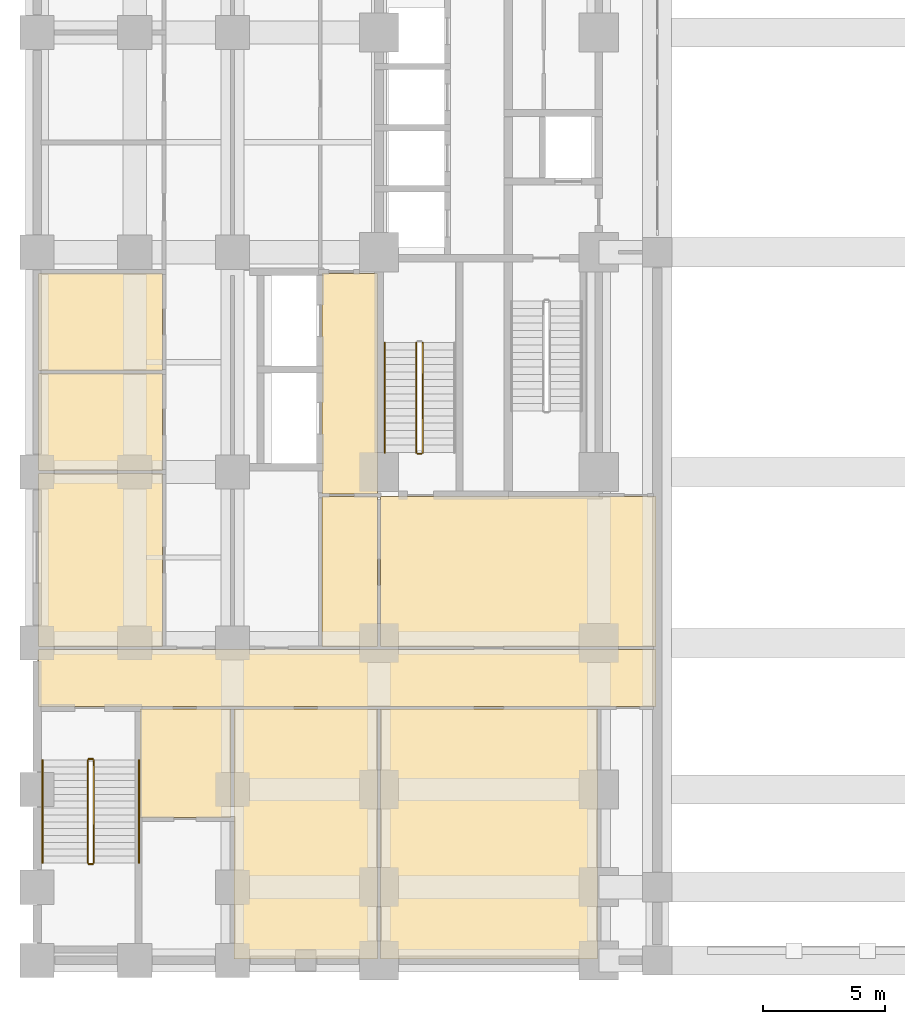
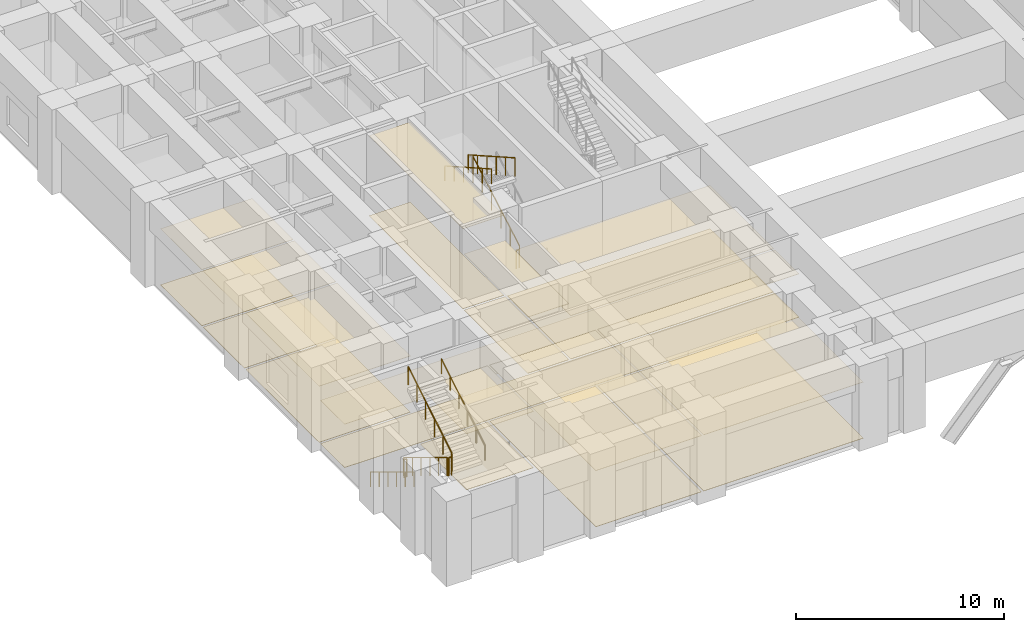
# One storey, part 19 of 24: 20 coverings, 10 railings.
"""IFC4 building model written with IfcOpenShell, lengths in metres."""

import ifcopenshell
import ifcopenshell.guid

model = None  # the IFC model being written
_history = None  # IfcOwnerHistory: only IFC2X3 demands one
_inside = {}  # id of a spatial element -> (the spatial element, [elements in it])
_under = {}  # id of a project, library or spatial element -> (it, [spatial elements below it])
_declared = {}  # id of a project -> (the project, [libraries it declares])
_typed = {}  # id of a type object -> (the type object, [elements of that type])
_made_of = {}  # id of a material, layer set ... -> (it, [elements and type objects made of it])


def new_model(schema):
    """Start an empty IFC model of exactly this schema.

    Asked for "IFC4X3", IfcOpenShell would pick the latest addendum, in which some entities
    have other attributes; the version numbers below select the first issue.
    IFC2X3 requires an IfcOwnerHistory on every rooted entity: one is made here for all.
    """
    global model, _history
    if schema == "IFC4X3":
        model = ifcopenshell.file(schema_version=(4, 3, 0, 0))
    else:
        model = ifcopenshell.file(schema=schema)
    _inside.clear()
    _under.clear()
    _declared.clear()
    _typed.clear()
    _made_of.clear()
    _history = None
    if model.schema == "IFC2X3":
        org = make("IfcOrganization", Name="unknown")
        user = make(
            "IfcPersonAndOrganization",
            ThePerson=make("IfcPerson", FamilyName="unknown"),
            TheOrganization=org,
        )
        app = make(
            "IfcApplication",
            ApplicationDeveloper=org,
            Version="unknown",
            ApplicationFullName="unknown",
            ApplicationIdentifier="unknown",
        )
        _history = make(
            "IfcOwnerHistory",
            OwningUser=user,
            OwningApplication=app,
            ChangeAction="ADDED",
            CreationDate=0,
        )
    return model


def make(cls, **values):
    """One entity of the class cls with the attributes given. An attribute that is None is left unset."""
    return model.create_entity(
        cls, **{name: value for name, value in values.items() if value is not None}
    )


def rooted(cls, **values):
    """An entity with a GlobalId (a new one), such as an element, a storey or a relation."""
    return make(cls, GlobalId=ifcopenshell.guid.new(), OwnerHistory=_history, **values)


def si_unit(unit_type, name, prefix=None):
    """IfcSIUnit, for example si_unit("LENGTHUNIT", "METRE", prefix="MILLI")."""
    return make("IfcSIUnit", UnitType=unit_type, Prefix=prefix, Name=name)


def assignment(units):
    """IfcUnitAssignment: the units of a project."""
    return None if units is None else make("IfcUnitAssignment", Units=units)


def point(xyz):
    """IfcCartesianPoint."""
    return None if xyz is None else make("IfcCartesianPoint", Coordinates=xyz)


def direction(xyz):
    """IfcDirection."""
    return None if xyz is None else make("IfcDirection", DirectionRatios=xyz)


def frame(location, z_axis=None, x_axis=None):
    """IfcAxis2Placement3D, a coordinate frame: its origin and axes. An axis left out is left unset."""
    return make(
        "IfcAxis2Placement3D",
        Location=point(location),
        Axis=direction(z_axis),
        RefDirection=direction(x_axis),
    )


def frame_2d(location, x_axis=None):
    """IfcAxis2Placement2D, a coordinate frame in the plane: its origin and x axis."""
    return make(
        "IfcAxis2Placement2D", Location=point(location), RefDirection=direction(x_axis)
    )


def origin():
    """The frame at (0, 0, 0) with its axes left unset."""
    return frame((0.0, 0.0, 0.0))


def origin_2d():
    """The frame at (0, 0) in the plane with its x axis left unset."""
    return frame_2d((0.0, 0.0))


def place(relative_to, where):
    """IfcLocalPlacement: puts the frame where relative to a parent placement (None: the world)."""
    return make(
        "IfcLocalPlacement", PlacementRelTo=relative_to, RelativePlacement=where
    )


def context(
    kind, dimensions, precision=None, world=None, true_north=None, identifier=None
):
    """IfcGeometricRepresentationContext, for example the 3D "Model" context."""
    return make(
        "IfcGeometricRepresentationContext",
        ContextIdentifier=identifier,
        ContextType=kind,
        CoordinateSpaceDimension=dimensions,
        Precision=precision,
        WorldCoordinateSystem=world,
        TrueNorth=true_north,
    )


def subcontext(parent, identifier, kind, view, scale=None):
    """IfcGeometricRepresentationSubContext, for example "Body" below "Model"."""
    return make(
        "IfcGeometricRepresentationSubContext",
        ContextIdentifier=identifier,
        ContextType=kind,
        ParentContext=parent,
        TargetScale=scale,
        TargetView=view,
    )


def project(units=None, contexts=None):
    """IfcProject with its units and contexts."""
    return rooted(
        "IfcProject",
        Name="project",
        RepresentationContexts=contexts,
        UnitsInContext=assignment(units),
    )


def spatial(cls, under=None, at=None, **own):
    """A site, building, storey or space (cls), placed at a placement, below another one or the project."""
    s = rooted(cls, ObjectPlacement=at, **own)
    if under is not None:
        _under.setdefault(under.id(), (under, []))[1].append(s)
    return s


def polyline(points):
    """IfcPolyline through the points."""
    return make("IfcPolyline", Points=[point(p) for p in points])


def profile(cls, at=None, kind="AREA", **sizes):
    """A parametric profile (cls). Its sizes go by their IFC names, for example OverallWidth=200.0."""
    return make(cls, ProfileType=kind, Position=at, **sizes)


def rectangle(**sizes):
    """IfcRectangleProfileDef."""
    return profile("IfcRectangleProfileDef", **sizes)


def outline(outer, holes=None, kind="AREA"):
    """IfcArbitraryClosedProfileDef: a profile drawn as a closed curve; with holes, ...WithVoids."""
    if holes is None:
        return make("IfcArbitraryClosedProfileDef", ProfileType=kind, OuterCurve=outer)
    return make(
        "IfcArbitraryProfileDefWithVoids",
        ProfileType=kind,
        OuterCurve=outer,
        InnerCurves=holes,
    )


def extrude(swept, where, along, depth):
    """IfcExtrudedAreaSolid: the profile swept, set in the frame where, extruded along a direction by depth."""
    return make(
        "IfcExtrudedAreaSolid",
        SweptArea=swept,
        Position=where,
        ExtrudedDirection=direction(along),
        Depth=depth,
    )


def shape(context_of_items, identifier, shape_type, items):
    """IfcShapeRepresentation: the items that make up one representation, for example the "Body"."""
    return make(
        "IfcShapeRepresentation",
        ContextOfItems=context_of_items,
        RepresentationIdentifier=identifier,
        RepresentationType=shape_type,
        Items=items,
    )


def material(Name=None, Category=None):
    """IfcMaterial."""
    return make("IfcMaterial", Name=Name, Category=Category)


def layer(
    of_material, thickness, ventilated=None, Name=None, Category=None, Priority=None
):
    """IfcMaterialLayer: one layer of a wall or slab, of a material (None: an air gap)."""
    return make(
        "IfcMaterialLayer",
        Material=of_material,
        LayerThickness=thickness,
        IsVentilated=ventilated,
        Name=Name,
        Category=Category,
        Priority=Priority,
    )


def layer_set(layers, Name=None):
    """IfcMaterialLayerSet."""
    return make("IfcMaterialLayerSet", MaterialLayers=layers, LayerSetName=Name)


def made_of(thing, what):
    """Note that an element or type object is made of a material, layer set ...; save() writes the relation."""
    if what is not None:
        _made_of.setdefault(what.id(), (what, []))[1].append(thing)
    return thing


def type_object(cls, material=None, **own):
    """A type object (cls), such as IfcWallType, which elements share."""
    return made_of(rooted(cls, **own), material)


def element(
    cls,
    number,
    at=None,
    inside=None,
    cuts=None,
    type_object=None,
    material=None,
    context=None,
    identifier="Body",
    shape_type=None,
    held_by="IfcProductDefinitionShape",
    body=None,
    shapes=None,
    **own,
):
    """One element of the class cls, such as IfcWall. Its Tag is "e" and its number.

    at: its placement. inside: the storey or other place that contains it. cuts: it is an
    opening in that element (IfcRelVoidsElement). A single representation is given by context,
    identifier, shape_type and body (its items); several are given by shapes. held_by: the class
    of the entity that holds the representations. save() writes the other relations.
    """
    e = rooted(cls, Tag="e%d" % number, ObjectPlacement=at, **own)
    if body is not None:
        shapes = [shape(context, identifier, shape_type, body)]
    if shapes is not None:
        e.Representation = make(held_by, Representations=shapes)
    if inside is not None:
        _inside.setdefault(inside.id(), (inside, []))[1].append(e)
    if cuts is not None:
        rooted(
            "IfcRelVoidsElement", RelatingBuildingElement=cuts, RelatedOpeningElement=e
        )
    if type_object is not None:
        _typed.setdefault(type_object.id(), (type_object, []))[1].append(e)
    return made_of(e, material)


def aggregate(whole, parts):
    """IfcRelAggregates: a whole, such as a stair, and the parts it consists of."""
    return rooted("IfcRelAggregates", RelatingObject=whole, RelatedObjects=parts)


def save(model, path):
    """Write the relations noted so far, then the file.

    IfcRelAggregates (storeys below a building ...), IfcRelContainedInSpatialStructure (elements
    in a storey), IfcRelDefinesByType, IfcRelAssociatesMaterial and IfcRelDeclares: one each for
    every whole, place, type object, material and project.
    """
    for whole, parts in _under.values():
        aggregate(whole, parts)
    for where, things in _inside.values():
        rooted(
            "IfcRelContainedInSpatialStructure",
            RelatedElements=things,
            RelatingStructure=where,
        )
    for kind, things in _typed.values():
        rooted("IfcRelDefinesByType", RelatedObjects=things, RelatingType=kind)
    for what, things in _made_of.values():
        rooted("IfcRelAssociatesMaterial", RelatedObjects=things, RelatingMaterial=what)
    for by, libraries in _declared.values():
        rooted("IfcRelDeclares", RelatingContext=by, RelatedDefinitions=libraries)
    model.write(path)


model = new_model("IFC4")

# Units and contexts
model_context = context("Model", 3, precision=1e-05, world=origin(), true_north=direction((0.0, 1.0)))
body_context = subcontext(model_context, "Body", "Model", "MODEL_VIEW")
ifc_project = project(units=[si_unit("LENGTHUNIT", "METRE"), si_unit("AREAUNIT", "SQUARE_METRE"), si_unit("VOLUMEUNIT", "CUBIC_METRE"), si_unit("PLANEANGLEUNIT", "RADIAN"), si_unit("MASSUNIT", "GRAM", prefix="KILO")], contexts=[model_context])

# Site, building, storey
site_placement = place(None, origin())
site = spatial("IfcSite", under=ifc_project, at=site_placement, CompositionType="ELEMENT")
building_placement = place(site_placement, origin())
building = spatial("IfcBuilding", under=site, at=building_placement, Name="Zulmaris Gate Convention Tower", CompositionType="ELEMENT")
storey_placement = place(building_placement, frame((0.0, 0.0, 16.320068359375)))
storey = spatial("IfcBuildingStorey", under=building, at=storey_placement, Name="L03", CompositionType="ELEMENT", Elevation=16.320068359375)

# Coverings
ifc_material_1 = material(Name="Mineral Fibre Acoustic Ceiling Tile")
ifc_layer_1 = layer(ifc_material_1, 0.02001953125, Name="Mineral Fibre Acoustic Ceiling Tile")
ifc_layer_set_1 = layer_set([ifc_layer_1], Name="Mineral Fibre Acoustic Ceiling Tile")
covering_type_1 = type_object("IfcCoveringType", Name="CLG-ACOUSTIC-600", PredefinedType="CEILING", material=ifc_layer_set_1)
covering_1_placement = place(storey_placement, frame((0.0, 0.0, 4.7099609375)))
element("IfcCovering", 1, at=covering_1_placement, inside=storey, type_object=covering_type_1, Name="CLG-L03-R30", PredefinedType="CEILING", context=body_context, shape_type="SweptSolid", body=[
    extrude(outline(polyline([(-22.340087890625, -9.889892578125), (-20.06005859375, -9.889892578125), (-20.06005859375, -0.860107421875), (-22.340087890625, -0.860107421875), (-22.340087890625, -9.889892578125)])), origin(), (0.0, 0.0, 1.0), 0.02001953125),
])
covering_2_placement = place(storey_placement, frame((0.0, 0.0, 3.300048828125)))
element("IfcCovering", 2, at=covering_2_placement, inside=storey, type_object=covering_type_1, Name="CLG-L03-R46", PredefinedType="CEILING", context=body_context, shape_type="SweptSolid", body=[
    extrude(outline(polyline([(-22.340087890625, -16.139892578125), (-20.06005859375, -16.139892578125), (-20.06005859375, -10.010009765625), (-22.340087890625, -10.010009765625), (-22.340087890625, -16.139892578125)])), origin(), (0.0, 0.0, 1.0), 0.019775390625),
])
covering_3_placement = place(storey_placement, frame((0.0, 0.0, 2.550048828125)))
element("IfcCovering", 3, at=covering_3_placement, inside=storey, type_object=covering_type_1, Name="CLG-L03-R49", PredefinedType="CEILING", context=body_context, shape_type="SweptSolid", body=[
    extrude(outline(polyline([(-33.93994140625, -18.590087890625), (-8.659912109375, -18.590087890625), (-8.659912109375, -16.260009765625), (-33.93994140625, -16.260009765625), (-33.93994140625, -18.590087890625)])), origin(), (0.0, 0.0, 1.0), 0.019775390625),
])
covering_4_placement = place(storey_placement, frame((0.0, 0.0, 2.550048828125)))
element("IfcCovering", 4, at=covering_4_placement, inside=storey, type_object=covering_type_1, Name="CLG-L03-R51", PredefinedType="CEILING", context=body_context, shape_type="SweptSolid", body=[
    extrude(outline(polyline([(-19.93994140625, -16.139892578125), (-8.659912109375, -16.139892578125), (-8.659912109375, -10.010009765625), (-19.93994140625, -10.010009765625), (-19.93994140625, -16.139892578125)])), origin(), (0.0, 0.0, 1.0), 0.019775390625),
])
covering_5_placement = place(storey_placement, frame((0.0, 0.0, 3.300048828125)))
element("IfcCovering", 5, at=covering_5_placement, inside=storey, type_object=covering_type_1, Name="CLG-L03-R69", PredefinedType="CEILING", context=body_context, shape_type="SweptSolid", body=[
    extrude(outline(polyline([(-33.93994140625, -16.139892578125), (-28.860107421875, -16.139892578125), (-28.860107421875, -9.06005859375), (-33.93994140625, -9.06005859375), (-33.93994140625, -16.139892578125)])), origin(), (0.0, 0.0, 1.0), 0.019775390625),
])
covering_6_placement = place(storey_placement, frame((0.0, 0.0, 3.300048828125)))
element("IfcCovering", 6, at=covering_6_placement, inside=storey, type_object=covering_type_1, Name="CLG-L03-R70", PredefinedType="CEILING", context=body_context, shape_type="SweptSolid", body=[
    extrude(outline(polyline([(-33.93994140625, -8.93994140625), (-28.860107421875, -8.93994140625), (-28.860107421875, -4.9599609375), (-33.93994140625, -4.9599609375), (-33.93994140625, -8.93994140625)])), origin(), (0.0, 0.0, 1.0), 0.019775390625),
])
covering_7_placement = place(storey_placement, frame((0.0, 0.0, 3.300048828125)))
element("IfcCovering", 7, at=covering_7_placement, inside=storey, type_object=covering_type_1, Name="CLG-L03-R71", PredefinedType="CEILING", context=body_context, shape_type="SweptSolid", body=[
    extrude(outline(polyline([(-33.93994140625, -4.840087890625), (-28.860107421875, -4.840087890625), (-28.860107421875, -0.860107421875), (-33.93994140625, -0.860107421875), (-33.93994140625, -4.840087890625)])), origin(), (0.0, 0.0, 1.0), 0.019775390625),
])
covering_8_placement = place(storey_placement, frame((0.0, 0.0, 3.300048828125)))
element("IfcCovering", 8, at=covering_8_placement, inside=storey, type_object=covering_type_1, Name="CLG-L03-R82", PredefinedType="CEILING", context=body_context, shape_type="SweptSolid", body=[
    extrude(outline(polyline([(-29.7900390625, -23.139892578125), (-26.06005859375, -23.139892578125), (-26.06005859375, -18.7099609375), (-29.7900390625, -18.7099609375), (-29.7900390625, -23.139892578125)])), origin(), (0.0, 0.0, 1.0), 0.019775390625),
])
covering_9_placement = place(storey_placement, frame((0.0, 0.0, 3.300048828125)))
element("IfcCovering", 9, at=covering_9_placement, inside=storey, type_object=covering_type_1, Name="CLG-L03-R83", PredefinedType="CEILING", context=body_context, shape_type="SweptSolid", body=[
    extrude(outline(polyline([(-25.93994140625, -28.93994140625), (-20.06005859375, -28.93994140625), (-20.06005859375, -18.7099609375), (-25.93994140625, -18.7099609375), (-25.93994140625, -28.93994140625)])), origin(), (0.0, 0.0, 1.0), 0.019775390625),
])
covering_10_placement = place(storey_placement, frame((0.0, 0.0, 3.300048828125)))
element("IfcCovering", 10, at=covering_10_placement, inside=storey, type_object=covering_type_1, Name="CLG-L03-R84", PredefinedType="CEILING", context=body_context, shape_type="SweptSolid", body=[
    extrude(outline(polyline([(-19.93994140625, -28.93994140625), (-11.06005859375, -28.93994140625), (-11.06005859375, -18.7099609375), (-19.93994140625, -18.7099609375), (-19.93994140625, -28.93994140625)])), origin(), (0.0, 0.0, 1.0), 0.019775390625),
])
ifc_material_2 = material(Name="Woven Acoustic Wool Carpet Tile")
ifc_layer_2 = layer(ifc_material_2, 0.02001953125, Name="Woven Acoustic Wool Carpet Tile")
ifc_layer_set_2 = layer_set([ifc_layer_2], Name="Woven Acoustic Wool Carpet Tile")
covering_type_2 = type_object("IfcCoveringType", Name="FLR-CARPET-12", PredefinedType="FLOORING", material=ifc_layer_set_2)
covering_11_placement = place(storey_placement, origin())
element("IfcCovering", 11, at=covering_11_placement, inside=storey, type_object=covering_type_2, Name="FLR-L03-R30", PredefinedType="FLOORING", context=body_context, shape_type="SweptSolid", body=[
    extrude(outline(polyline([(-22.340087890625, -9.889892578125), (-20.06005859375, -9.889892578125), (-20.06005859375, -0.860107421875), (-22.340087890625, -0.860107421875), (-22.340087890625, -9.889892578125)])), origin(), (0.0, 0.0, 1.0), 0.02001953125),
])
covering_12_placement = place(storey_placement, origin())
element("IfcCovering", 12, at=covering_12_placement, inside=storey, type_object=covering_type_2, Name="FLR-L03-R46", PredefinedType="FLOORING", context=body_context, shape_type="SweptSolid", body=[
    extrude(outline(polyline([(-22.340087890625, -16.139892578125), (-20.06005859375, -16.139892578125), (-20.06005859375, -10.010009765625), (-22.340087890625, -10.010009765625), (-22.340087890625, -16.139892578125)])), origin(), (0.0, 0.0, 1.0), 0.02001953125),
])
covering_13_placement = place(storey_placement, origin())
element("IfcCovering", 13, at=covering_13_placement, inside=storey, type_object=covering_type_2, Name="FLR-L03-R49", PredefinedType="FLOORING", context=body_context, shape_type="SweptSolid", body=[
    extrude(outline(polyline([(-33.93994140625, -18.590087890625), (-8.659912109375, -18.590087890625), (-8.659912109375, -16.260009765625), (-33.93994140625, -16.260009765625), (-33.93994140625, -18.590087890625)])), origin(), (0.0, 0.0, 1.0), 0.02001953125),
])
covering_14_placement = place(storey_placement, origin())
element("IfcCovering", 14, at=covering_14_placement, inside=storey, type_object=covering_type_2, Name="FLR-L03-R51", PredefinedType="FLOORING", context=body_context, shape_type="SweptSolid", body=[
    extrude(outline(polyline([(-19.93994140625, -16.139892578125), (-8.659912109375, -16.139892578125), (-8.659912109375, -10.010009765625), (-19.93994140625, -10.010009765625), (-19.93994140625, -16.139892578125)])), origin(), (0.0, 0.0, 1.0), 0.02001953125),
])
covering_15_placement = place(storey_placement, origin())
element("IfcCovering", 15, at=covering_15_placement, inside=storey, type_object=covering_type_2, Name="FLR-L03-R82", PredefinedType="FLOORING", context=body_context, shape_type="SweptSolid", body=[
    extrude(outline(polyline([(-29.7900390625, -23.139892578125), (-26.06005859375, -23.139892578125), (-26.06005859375, -18.7099609375), (-29.7900390625, -18.7099609375), (-29.7900390625, -23.139892578125)])), origin(), (0.0, 0.0, 1.0), 0.02001953125),
])
ifc_material_3 = material(Name="Polished Granite Terrazzo Tile", Category="masonry")
ifc_layer_3 = layer(ifc_material_3, 0.02001953125, Name="Polished Granite Terrazzo Tile")
ifc_layer_set_3 = layer_set([ifc_layer_3], Name="Polished Granite Terrazzo Tile")
covering_type_3 = type_object("IfcCoveringType", Name="FLR-TERRAZZO-30", PredefinedType="FLOORING", material=ifc_layer_set_3)
covering_16_placement = place(storey_placement, origin())
element("IfcCovering", 16, at=covering_16_placement, inside=storey, type_object=covering_type_3, Name="FLR-L03-R84", PredefinedType="FLOORING", context=body_context, shape_type="SweptSolid", body=[
    extrude(outline(polyline([(-19.93994140625, -28.93994140625), (-11.06005859375, -28.93994140625), (-11.06005859375, -18.7099609375), (-19.93994140625, -18.7099609375), (-19.93994140625, -28.93994140625)])), origin(), (0.0, 0.0, 1.0), 0.02001953125),
])
ifc_material_4 = material(Name="Engineered Teak Parquet Flooring")
ifc_layer_4 = layer(ifc_material_4, 0.02001953125, Name="Engineered Teak Parquet Flooring")
ifc_layer_set_4 = layer_set([ifc_layer_4], Name="Engineered Teak Parquet Flooring")
covering_type_4 = type_object("IfcCoveringType", Name="FLR-TIMBER-18", PredefinedType="FLOORING", material=ifc_layer_set_4)
covering_17_placement = place(storey_placement, origin())
element("IfcCovering", 17, at=covering_17_placement, inside=storey, type_object=covering_type_4, Name="FLR-L03-R69", PredefinedType="FLOORING", context=body_context, shape_type="SweptSolid", body=[
    extrude(outline(polyline([(-33.93994140625, -16.139892578125), (-28.860107421875, -16.139892578125), (-28.860107421875, -9.06005859375), (-33.93994140625, -9.06005859375), (-33.93994140625, -16.139892578125)])), origin(), (0.0, 0.0, 1.0), 0.02001953125),
])
covering_18_placement = place(storey_placement, origin())
element("IfcCovering", 18, at=covering_18_placement, inside=storey, type_object=covering_type_4, Name="FLR-L03-R70", PredefinedType="FLOORING", context=body_context, shape_type="SweptSolid", body=[
    extrude(outline(polyline([(-33.93994140625, -8.93994140625), (-28.860107421875, -8.93994140625), (-28.860107421875, -4.9599609375), (-33.93994140625, -4.9599609375), (-33.93994140625, -8.93994140625)])), origin(), (0.0, 0.0, 1.0), 0.02001953125),
])
covering_19_placement = place(storey_placement, origin())
element("IfcCovering", 19, at=covering_19_placement, inside=storey, type_object=covering_type_4, Name="FLR-L03-R71", PredefinedType="FLOORING", context=body_context, shape_type="SweptSolid", body=[
    extrude(outline(polyline([(-33.93994140625, -4.840087890625), (-28.860107421875, -4.840087890625), (-28.860107421875, -0.860107421875), (-33.93994140625, -0.860107421875), (-33.93994140625, -4.840087890625)])), origin(), (0.0, 0.0, 1.0), 0.02001953125),
])
covering_20_placement = place(storey_placement, origin())
element("IfcCovering", 20, at=covering_20_placement, inside=storey, type_object=covering_type_4, Name="FLR-L03-R83", PredefinedType="FLOORING", context=body_context, shape_type="SweptSolid", body=[
    extrude(outline(polyline([(-25.93994140625, -28.93994140625), (-20.06005859375, -28.93994140625), (-20.06005859375, -18.7099609375), (-25.93994140625, -18.7099609375), (-25.93994140625, -28.93994140625)])), origin(), (0.0, 0.0, 1.0), 0.02001953125),
])

# Railings
ifc_material_5 = material(Name="Painted Galvanised Steel", Category="steel")
railing_type_1 = type_object("IfcRailingType", Name="RL-STG-1150", PredefinedType="GUARDRAIL", material=ifc_material_5)
railing_1_placement = place(storey_placement, frame((-18.2099609375, -8.199951171875, 0.169921875)))
element("IfcRailing", 21, at=railing_1_placement, inside=storey, type_object=railing_type_1, Name="L03 ST-3 stair guard 1", PredefinedType="GUARDRAIL", context=body_context, shape_type="SweptSolid", body=[
    extrude(rectangle(XDim=0.048095703125, YDim=0.048095703125, at=origin_2d()), frame((0.0, 0.0, 1.076171875), z_axis=(0.0, 0.870018136573, 0.493019717692), x_axis=(-1.0, 0.0, 0.0)), (0.0, 0.0, 1.0), 5.17236328125),
    extrude(rectangle(XDim=0.0419921875, YDim=0.0419921875, at=origin_2d()), origin(), (0.0, 0.0, 1.0), 1.052001953125),
    extrude(rectangle(XDim=0.0419921875, YDim=0.0419921875, at=origin_2d()), frame((0.0, 0.89990234375, 0.510009765625)), (0.0, 0.0, 1.0), 1.052001953125),
    extrude(rectangle(XDim=0.0419921875, YDim=0.0419921875, at=origin_2d()), frame((0.0, 1.800048828125, 1.02001953125)), (0.0, 0.0, 1.0), 1.052001953125),
    extrude(rectangle(XDim=0.0419921875, YDim=0.0419921875, at=origin_2d()), frame((0.0, 2.699951171875, 1.530029296875)), (0.0, 0.0, 1.0), 1.052001953125),
    extrude(rectangle(XDim=0.0419921875, YDim=0.0419921875, at=origin_2d()), frame((0.0, 3.60009765625, 2.0400390625)), (0.0, 0.0, 1.0), 1.052001953125),
    extrude(rectangle(XDim=0.0419921875, YDim=0.0419921875, at=origin_2d()), frame((0.0, 4.5, 2.550048828125)), (0.0, 0.0, 1.0), 1.052001953125),
])
railing_2_placement = place(storey_placement, frame((-18.469970703125, -3.699951171875, 2.889892578125)))
element("IfcRailing", 22, at=railing_2_placement, inside=storey, type_object=railing_type_1, Name="L03 ST-3 stair guard 3", PredefinedType="GUARDRAIL", context=body_context, shape_type="SweptSolid", body=[
    extrude(rectangle(XDim=0.048095703125, YDim=0.048095703125, at=origin_2d()), frame((0.0, 0.0, 1.076171875), z_axis=(0.0, -0.870018136573, 0.493019717692), x_axis=(1.0, 0.0, 0.0)), (0.0, 0.0, 1.0), 5.17236328125),
    extrude(rectangle(XDim=0.0419921875, YDim=0.0419921875, at=origin_2d()), origin(), (0.0, 0.0, 1.0), 1.052001953125),
    extrude(rectangle(XDim=0.0419921875, YDim=0.0419921875, at=origin_2d()), frame((0.0, -0.89990234375, 0.510009765625)), (0.0, 0.0, 1.0), 1.052001953125),
    extrude(rectangle(XDim=0.0419921875, YDim=0.0419921875, at=origin_2d()), frame((0.0, -1.800048828125, 1.02001953125)), (0.0, 0.0, 1.0), 1.052001953125),
    extrude(rectangle(XDim=0.0419921875, YDim=0.0419921875, at=origin_2d()), frame((0.0, -2.699951171875, 1.530029296875)), (0.0, 0.0, 1.0), 1.052001953125),
    extrude(rectangle(XDim=0.0419921875, YDim=0.0419921875, at=origin_2d()), frame((0.0, -3.60009765625, 2.0400390625)), (0.0, 0.0, 1.0), 1.052001953125),
    extrude(rectangle(XDim=0.0419921875, YDim=0.0419921875, at=origin_2d()), frame((0.0, -4.5, 2.550048828125)), (0.0, 0.0, 1.0), 1.052001953125),
])
railing_3_placement = place(storey_placement, frame((-18.260009765625, -8.25, 0.0)))
element("IfcRailing", 23, at=railing_3_placement, inside=storey, type_object=railing_type_1, Name="L03 ST-3 stair guard 4", PredefinedType="GUARDRAIL", context=body_context, shape_type="SweptSolid", body=[
    extrude(rectangle(XDim=0.048095703125, YDim=0.048095703125, at=origin_2d()), frame((0.0, 0.0, 1.076171875), z_axis=(-1.0, 0.0, 0.0), x_axis=(0.0, -1.0, 0.0)), (0.0, 0.0, 1.0), 0.159912109375),
    extrude(rectangle(XDim=0.0419921875, YDim=0.0419921875, at=origin_2d()), origin(), (0.0, 0.0, 1.0), 1.052001953125),
    extrude(rectangle(XDim=0.0419921875, YDim=0.0419921875, at=origin_2d()), frame((-0.159912109375, 0.0, 0.0)), (0.0, 0.0, 1.0), 1.052001953125),
])
railing_4_placement = place(storey_placement, frame((-31.929931640625, -20.800048828125, 0.169921875)))
element("IfcRailing", 24, at=railing_4_placement, inside=storey, type_object=railing_type_1, Name="L03 ST-4 stair guard 1", PredefinedType="GUARDRAIL", context=body_context, shape_type="SweptSolid", body=[
    extrude(rectangle(XDim=0.048095703125, YDim=0.048095703125, at=origin_2d()), frame((0.0, 0.0, 1.076171875), z_axis=(0.0, -0.854780430106, 0.518989803665), x_axis=(1.0, 0.0, 0.0)), (0.0, 0.0, 1.0), 4.91357421875),
    extrude(rectangle(XDim=0.0419921875, YDim=0.0419921875, at=origin_2d()), origin(), (0.0, 0.0, 1.0), 1.052001953125),
    extrude(rectangle(XDim=0.0419921875, YDim=0.0419921875, at=origin_2d()), frame((0.0, -0.840087890625, 0.510009765625)), (0.0, 0.0, 1.0), 1.052001953125),
    extrude(rectangle(XDim=0.0419921875, YDim=0.0419921875, at=origin_2d()), frame((0.0, -1.679931640625, 1.02001953125)), (0.0, 0.0, 1.0), 1.052001953125),
    extrude(rectangle(XDim=0.0419921875, YDim=0.0419921875, at=origin_2d()), frame((0.0, -2.52001953125, 1.530029296875)), (0.0, 0.0, 1.0), 1.052001953125),
    extrude(rectangle(XDim=0.0419921875, YDim=0.0419921875, at=origin_2d()), frame((0.0, -3.35986328125, 2.0400390625)), (0.0, 0.0, 1.0), 1.052001953125),
    extrude(rectangle(XDim=0.0419921875, YDim=0.0419921875, at=origin_2d()), frame((0.0, -4.199951171875, 2.550048828125)), (0.0, 0.0, 1.0), 1.052001953125),
])
railing_5_placement = place(storey_placement, frame((-31.8798828125, -25.050048828125, 2.719970703125)))
element("IfcRailing", 25, at=railing_5_placement, inside=storey, type_object=railing_type_1, Name="L03 ST-4 stair guard 2", PredefinedType="GUARDRAIL", context=body_context, shape_type="SweptSolid", body=[
    extrude(rectangle(XDim=0.048095703125, YDim=0.048095703125, at=origin_2d()), frame((0.0, 0.0, 1.076171875), z_axis=(1.0, 0.0, 0.0), x_axis=(0.0, 1.0, 0.0)), (0.0, 0.0, 1.0), 0.14990234375),
    extrude(rectangle(XDim=0.0419921875, YDim=0.0419921875, at=origin_2d()), origin(), (0.0, 0.0, 1.0), 1.052001953125),
    extrude(rectangle(XDim=0.0419921875, YDim=0.0419921875, at=origin_2d()), frame((0.14990234375, 0.0, 0.0)), (0.0, 0.0, 1.0), 1.052001953125),
])
railing_6_placement = place(storey_placement, frame((-31.679931640625, -25.0, 2.889892578125)))
element("IfcRailing", 26, at=railing_6_placement, inside=storey, type_object=railing_type_1, Name="L03 ST-4 stair guard 3", PredefinedType="GUARDRAIL", context=body_context, shape_type="SweptSolid", body=[
    extrude(rectangle(XDim=0.048095703125, YDim=0.048095703125, at=origin_2d()), frame((0.0, 0.0, 1.076171875), z_axis=(0.0, 0.854780430106, 0.518989803665), x_axis=(-1.0, 0.0, 0.0)), (0.0, 0.0, 1.0), 4.91357421875),
    extrude(rectangle(XDim=0.0419921875, YDim=0.0419921875, at=origin_2d()), origin(), (0.0, 0.0, 1.0), 1.052001953125),
    extrude(rectangle(XDim=0.0419921875, YDim=0.0419921875, at=origin_2d()), frame((0.0, 0.840087890625, 0.510009765625)), (0.0, 0.0, 1.0), 1.052001953125),
    extrude(rectangle(XDim=0.0419921875, YDim=0.0419921875, at=origin_2d()), frame((0.0, 1.679931640625, 1.02001953125)), (0.0, 0.0, 1.0), 1.052001953125),
    extrude(rectangle(XDim=0.0419921875, YDim=0.0419921875, at=origin_2d()), frame((0.0, 2.52001953125, 1.530029296875)), (0.0, 0.0, 1.0), 1.052001953125),
    extrude(rectangle(XDim=0.0419921875, YDim=0.0419921875, at=origin_2d()), frame((0.0, 3.35986328125, 2.0400390625)), (0.0, 0.0, 1.0), 1.052001953125),
    extrude(rectangle(XDim=0.0419921875, YDim=0.0419921875, at=origin_2d()), frame((0.0, 4.199951171875, 2.550048828125)), (0.0, 0.0, 1.0), 1.052001953125),
])
railing_7_placement = place(storey_placement, frame((-31.8798828125, -20.75, 0.0)))
element("IfcRailing", 27, at=railing_7_placement, inside=storey, type_object=railing_type_1, Name="L03 ST-4 stair guard 4", PredefinedType="GUARDRAIL", context=body_context, shape_type="SweptSolid", body=[
    extrude(rectangle(XDim=0.048095703125, YDim=0.048095703125, at=origin_2d()), frame((0.0, 0.0, 1.076171875), z_axis=(1.0, 0.0, 0.0), x_axis=(0.0, 1.0, 0.0)), (0.0, 0.0, 1.0), 0.14990234375),
    extrude(rectangle(XDim=0.0419921875, YDim=0.0419921875, at=origin_2d()), origin(), (0.0, 0.0, 1.0), 1.052001953125),
    extrude(rectangle(XDim=0.0419921875, YDim=0.0419921875, at=origin_2d()), frame((0.14990234375, 0.0, 0.0)), (0.0, 0.0, 1.0), 1.052001953125),
])
ifc_material_6 = material(Name="Brushed Stainless Steel", Category="steel")
railing_type_2 = type_object("IfcRailingType", Name="RL-STH-900", PredefinedType="HANDRAIL", material=ifc_material_6)
railing_8_placement = place(storey_placement, frame((-19.77001953125, -3.699951171875, 2.889892578125)))
element("IfcRailing", 28, at=railing_8_placement, inside=storey, type_object=railing_type_2, Name="L03 ST-3 stair handrail 2", PredefinedType="HANDRAIL", context=body_context, shape_type="SweptSolid", body=[
    extrude(rectangle(XDim=0.048095703125, YDim=0.048095703125, at=origin_2d()), frame((0.0, 0.0, 0.8759765625), z_axis=(0.0, -0.870018136573, 0.493019717692), x_axis=(1.0, 0.0, 0.0)), (0.0, 0.0, 1.0), 5.17236328125),
    extrude(rectangle(XDim=0.0419921875, YDim=0.0419921875, at=origin_2d()), origin(), (0.0, 0.0, 1.0), 0.851806640625),
    extrude(rectangle(XDim=0.0419921875, YDim=0.0419921875, at=origin_2d()), frame((0.0, -0.89990234375, 0.510009765625)), (0.0, 0.0, 1.0), 0.851806640625),
    extrude(rectangle(XDim=0.0419921875, YDim=0.0419921875, at=origin_2d()), frame((0.0, -1.800048828125, 1.02001953125)), (0.0, 0.0, 1.0), 0.851806640625),
    extrude(rectangle(XDim=0.0419921875, YDim=0.0419921875, at=origin_2d()), frame((0.0, -2.699951171875, 1.530029296875)), (0.0, 0.0, 1.0), 0.851806640625),
    extrude(rectangle(XDim=0.0419921875, YDim=0.0419921875, at=origin_2d()), frame((0.0, -3.60009765625, 2.0400390625)), (0.0, 0.0, 1.0), 0.851806640625),
    extrude(rectangle(XDim=0.0419921875, YDim=0.0419921875, at=origin_2d()), frame((0.0, -4.5, 2.550048828125)), (0.0, 0.0, 1.0), 0.851806640625),
])
railing_9_placement = place(storey_placement, frame((-33.780029296875, -20.800048828125, 0.169921875)))
element("IfcRailing", 29, at=railing_9_placement, inside=storey, type_object=railing_type_2, Name="L03 ST-4 stair handrail 1", PredefinedType="HANDRAIL", context=body_context, shape_type="SweptSolid", body=[
    extrude(rectangle(XDim=0.048095703125, YDim=0.048095703125, at=origin_2d()), frame((0.0, 0.0, 0.8759765625), z_axis=(0.0, -0.854780430106, 0.518989803665), x_axis=(1.0, 0.0, 0.0)), (0.0, 0.0, 1.0), 4.91357421875),
    extrude(rectangle(XDim=0.0419921875, YDim=0.0419921875, at=origin_2d()), origin(), (0.0, 0.0, 1.0), 0.851806640625),
    extrude(rectangle(XDim=0.0419921875, YDim=0.0419921875, at=origin_2d()), frame((0.0, -0.840087890625, 0.510009765625)), (0.0, 0.0, 1.0), 0.851806640625),
    extrude(rectangle(XDim=0.0419921875, YDim=0.0419921875, at=origin_2d()), frame((0.0, -1.679931640625, 1.02001953125)), (0.0, 0.0, 1.0), 0.851806640625),
    extrude(rectangle(XDim=0.0419921875, YDim=0.0419921875, at=origin_2d()), frame((0.0, -2.52001953125, 1.530029296875)), (0.0, 0.0, 1.0), 0.851806640625),
    extrude(rectangle(XDim=0.0419921875, YDim=0.0419921875, at=origin_2d()), frame((0.0, -3.35986328125, 2.0400390625)), (0.0, 0.0, 1.0), 0.851806640625),
    extrude(rectangle(XDim=0.0419921875, YDim=0.0419921875, at=origin_2d()), frame((0.0, -4.199951171875, 2.550048828125)), (0.0, 0.0, 1.0), 0.851806640625),
])
railing_10_placement = place(storey_placement, frame((-29.830078125, -25.0, 2.889892578125)))
element("IfcRailing", 30, at=railing_10_placement, inside=storey, type_object=railing_type_2, Name="L03 ST-4 stair handrail 2", PredefinedType="HANDRAIL", context=body_context, shape_type="SweptSolid", body=[
    extrude(rectangle(XDim=0.048095703125, YDim=0.048095703125, at=origin_2d()), frame((0.0, 0.0, 0.8759765625), z_axis=(0.0, 0.854780430106, 0.518989803665), x_axis=(-1.0, 0.0, 0.0)), (0.0, 0.0, 1.0), 4.91357421875),
    extrude(rectangle(XDim=0.0419921875, YDim=0.0419921875, at=origin_2d()), origin(), (0.0, 0.0, 1.0), 0.851806640625),
    extrude(rectangle(XDim=0.0419921875, YDim=0.0419921875, at=origin_2d()), frame((0.0, 0.840087890625, 0.510009765625)), (0.0, 0.0, 1.0), 0.851806640625),
    extrude(rectangle(XDim=0.0419921875, YDim=0.0419921875, at=origin_2d()), frame((0.0, 1.679931640625, 1.02001953125)), (0.0, 0.0, 1.0), 0.851806640625),
    extrude(rectangle(XDim=0.0419921875, YDim=0.0419921875, at=origin_2d()), frame((0.0, 2.52001953125, 1.530029296875)), (0.0, 0.0, 1.0), 0.851806640625),
    extrude(rectangle(XDim=0.0419921875, YDim=0.0419921875, at=origin_2d()), frame((0.0, 3.35986328125, 2.0400390625)), (0.0, 0.0, 1.0), 0.851806640625),
    extrude(rectangle(XDim=0.0419921875, YDim=0.0419921875, at=origin_2d()), frame((0.0, 4.199951171875, 2.550048828125)), (0.0, 0.0, 1.0), 0.851806640625),
])

save(model, "model.ifc")
